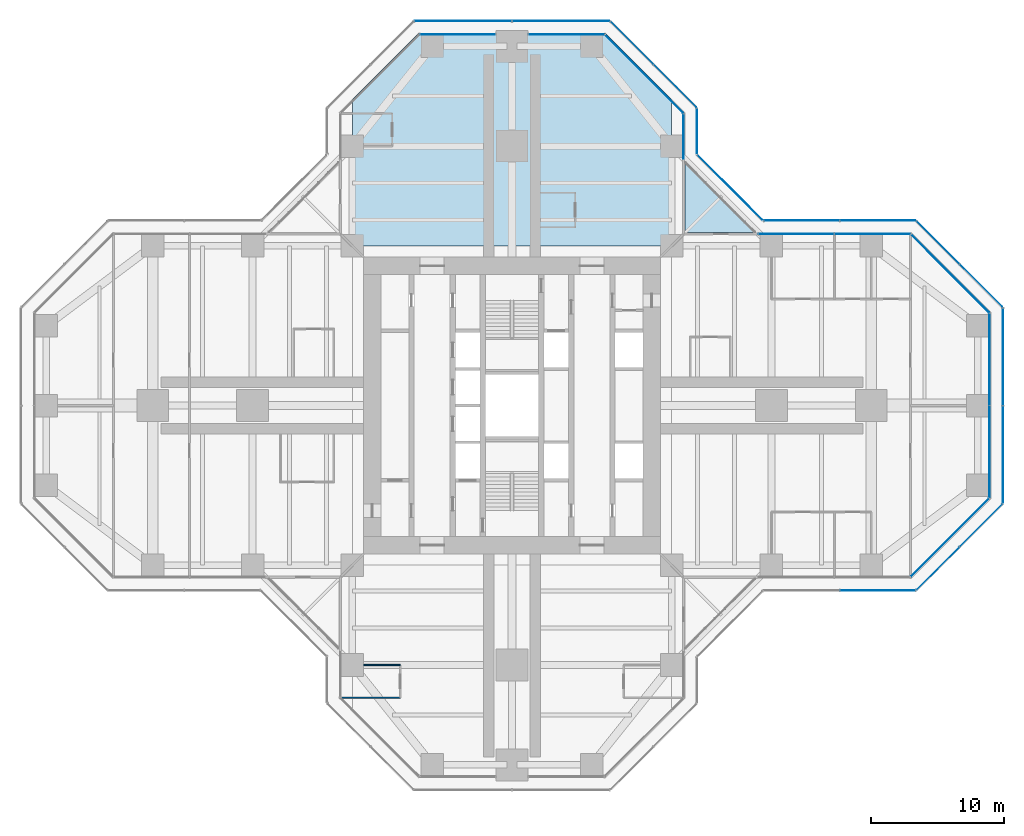
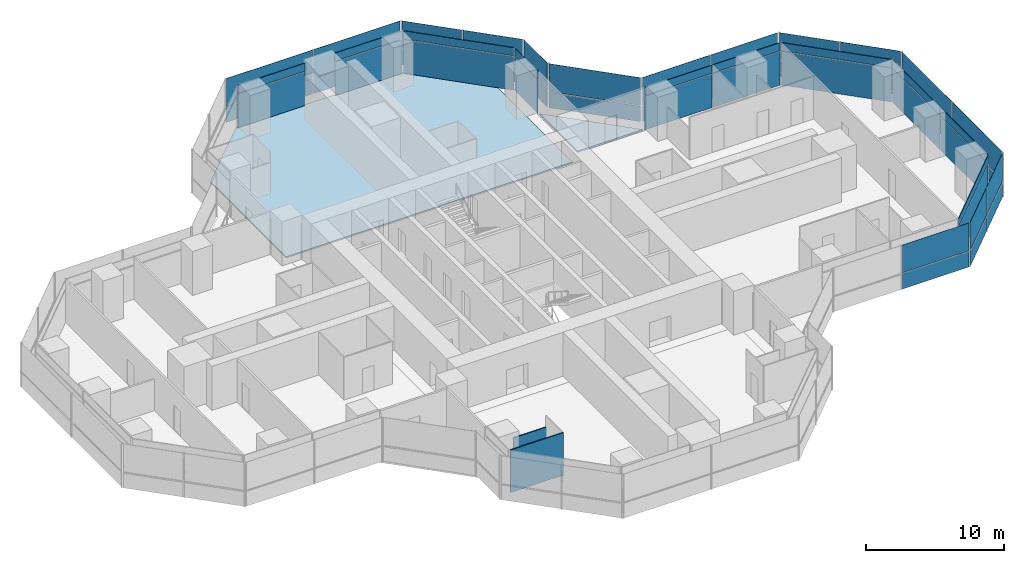
# One storey, part 14 of 20: 50 plates, 2 slabs, 2 walls, 17 elements without a shape of their own.
"""IFC4 building model written with IfcOpenShell, lengths in metres."""

import ifcopenshell
import ifcopenshell.guid

model = None  # the IFC model being written
_history = None  # IfcOwnerHistory: only IFC2X3 demands one
_inside = {}  # id of a spatial element -> (the spatial element, [elements in it])
_under = {}  # id of a project, library or spatial element -> (it, [spatial elements below it])
_declared = {}  # id of a project -> (the project, [libraries it declares])
_typed = {}  # id of a type object -> (the type object, [elements of that type])
_made_of = {}  # id of a material, layer set ... -> (it, [elements and type objects made of it])


def new_model(schema):
    """Start an empty IFC model of exactly this schema.

    Asked for "IFC4X3", IfcOpenShell would pick the latest addendum, in which some entities
    have other attributes; the version numbers below select the first issue.
    IFC2X3 requires an IfcOwnerHistory on every rooted entity: one is made here for all.
    """
    global model, _history
    if schema == "IFC4X3":
        model = ifcopenshell.file(schema_version=(4, 3, 0, 0))
    else:
        model = ifcopenshell.file(schema=schema)
    _inside.clear()
    _under.clear()
    _declared.clear()
    _typed.clear()
    _made_of.clear()
    _history = None
    if model.schema == "IFC2X3":
        org = make("IfcOrganization", Name="unknown")
        user = make(
            "IfcPersonAndOrganization",
            ThePerson=make("IfcPerson", FamilyName="unknown"),
            TheOrganization=org,
        )
        app = make(
            "IfcApplication",
            ApplicationDeveloper=org,
            Version="unknown",
            ApplicationFullName="unknown",
            ApplicationIdentifier="unknown",
        )
        _history = make(
            "IfcOwnerHistory",
            OwningUser=user,
            OwningApplication=app,
            ChangeAction="ADDED",
            CreationDate=0,
        )
    return model


def make(cls, **values):
    """One entity of the class cls with the attributes given. An attribute that is None is left unset."""
    return model.create_entity(
        cls, **{name: value for name, value in values.items() if value is not None}
    )


def rooted(cls, **values):
    """An entity with a GlobalId (a new one), such as an element, a storey or a relation."""
    return make(cls, GlobalId=ifcopenshell.guid.new(), OwnerHistory=_history, **values)


def si_unit(unit_type, name, prefix=None):
    """IfcSIUnit, for example si_unit("LENGTHUNIT", "METRE", prefix="MILLI")."""
    return make("IfcSIUnit", UnitType=unit_type, Prefix=prefix, Name=name)


def assignment(units):
    """IfcUnitAssignment: the units of a project."""
    return None if units is None else make("IfcUnitAssignment", Units=units)


def point(xyz):
    """IfcCartesianPoint."""
    return None if xyz is None else make("IfcCartesianPoint", Coordinates=xyz)


def direction(xyz):
    """IfcDirection."""
    return None if xyz is None else make("IfcDirection", DirectionRatios=xyz)


def frame(location, z_axis=None, x_axis=None):
    """IfcAxis2Placement3D, a coordinate frame: its origin and axes. An axis left out is left unset."""
    return make(
        "IfcAxis2Placement3D",
        Location=point(location),
        Axis=direction(z_axis),
        RefDirection=direction(x_axis),
    )


def frame_2d(location, x_axis=None):
    """IfcAxis2Placement2D, a coordinate frame in the plane: its origin and x axis."""
    return make(
        "IfcAxis2Placement2D", Location=point(location), RefDirection=direction(x_axis)
    )


def origin():
    """The frame at (0, 0, 0) with its axes left unset."""
    return frame((0.0, 0.0, 0.0))


def origin_2d():
    """The frame at (0, 0) in the plane with its x axis left unset."""
    return frame_2d((0.0, 0.0))


def place(relative_to, where):
    """IfcLocalPlacement: puts the frame where relative to a parent placement (None: the world)."""
    return make(
        "IfcLocalPlacement", PlacementRelTo=relative_to, RelativePlacement=where
    )


def context(
    kind, dimensions, precision=None, world=None, true_north=None, identifier=None
):
    """IfcGeometricRepresentationContext, for example the 3D "Model" context."""
    return make(
        "IfcGeometricRepresentationContext",
        ContextIdentifier=identifier,
        ContextType=kind,
        CoordinateSpaceDimension=dimensions,
        Precision=precision,
        WorldCoordinateSystem=world,
        TrueNorth=true_north,
    )


def subcontext(parent, identifier, kind, view, scale=None):
    """IfcGeometricRepresentationSubContext, for example "Body" below "Model"."""
    return make(
        "IfcGeometricRepresentationSubContext",
        ContextIdentifier=identifier,
        ContextType=kind,
        ParentContext=parent,
        TargetScale=scale,
        TargetView=view,
    )


def project(units=None, contexts=None):
    """IfcProject with its units and contexts."""
    return rooted(
        "IfcProject",
        Name="project",
        RepresentationContexts=contexts,
        UnitsInContext=assignment(units),
    )


def spatial(cls, under=None, at=None, **own):
    """A site, building, storey or space (cls), placed at a placement, below another one or the project."""
    s = rooted(cls, ObjectPlacement=at, **own)
    if under is not None:
        _under.setdefault(under.id(), (under, []))[1].append(s)
    return s


def polyline(points):
    """IfcPolyline through the points."""
    return make("IfcPolyline", Points=[point(p) for p in points])


def profile(cls, at=None, kind="AREA", **sizes):
    """A parametric profile (cls). Its sizes go by their IFC names, for example OverallWidth=200.0."""
    return make(cls, ProfileType=kind, Position=at, **sizes)


def rectangle(**sizes):
    """IfcRectangleProfileDef."""
    return profile("IfcRectangleProfileDef", **sizes)


def outline(outer, holes=None, kind="AREA"):
    """IfcArbitraryClosedProfileDef: a profile drawn as a closed curve; with holes, ...WithVoids."""
    if holes is None:
        return make("IfcArbitraryClosedProfileDef", ProfileType=kind, OuterCurve=outer)
    return make(
        "IfcArbitraryProfileDefWithVoids",
        ProfileType=kind,
        OuterCurve=outer,
        InnerCurves=holes,
    )


def extrude(swept, where, along, depth):
    """IfcExtrudedAreaSolid: the profile swept, set in the frame where, extruded along a direction by depth."""
    return make(
        "IfcExtrudedAreaSolid",
        SweptArea=swept,
        Position=where,
        ExtrudedDirection=direction(along),
        Depth=depth,
    )


def shape(context_of_items, identifier, shape_type, items):
    """IfcShapeRepresentation: the items that make up one representation, for example the "Body"."""
    return make(
        "IfcShapeRepresentation",
        ContextOfItems=context_of_items,
        RepresentationIdentifier=identifier,
        RepresentationType=shape_type,
        Items=items,
    )


def material(Name=None, Category=None):
    """IfcMaterial."""
    return make("IfcMaterial", Name=Name, Category=Category)


def layer(
    of_material, thickness, ventilated=None, Name=None, Category=None, Priority=None
):
    """IfcMaterialLayer: one layer of a wall or slab, of a material (None: an air gap)."""
    return make(
        "IfcMaterialLayer",
        Material=of_material,
        LayerThickness=thickness,
        IsVentilated=ventilated,
        Name=Name,
        Category=Category,
        Priority=Priority,
    )


def layer_set(layers, Name=None):
    """IfcMaterialLayerSet."""
    return make("IfcMaterialLayerSet", MaterialLayers=layers, LayerSetName=Name)


def made_of(thing, what):
    """Note that an element or type object is made of a material, layer set ...; save() writes the relation."""
    if what is not None:
        _made_of.setdefault(what.id(), (what, []))[1].append(thing)
    return thing


def type_object(cls, material=None, **own):
    """A type object (cls), such as IfcWallType, which elements share."""
    return made_of(rooted(cls, **own), material)


def element(
    cls,
    number,
    at=None,
    inside=None,
    cuts=None,
    type_object=None,
    material=None,
    context=None,
    identifier="Body",
    shape_type=None,
    held_by="IfcProductDefinitionShape",
    body=None,
    shapes=None,
    **own,
):
    """One element of the class cls, such as IfcWall. Its Tag is "e" and its number.

    at: its placement. inside: the storey or other place that contains it. cuts: it is an
    opening in that element (IfcRelVoidsElement). A single representation is given by context,
    identifier, shape_type and body (its items); several are given by shapes. held_by: the class
    of the entity that holds the representations. save() writes the other relations.
    """
    e = rooted(cls, Tag="e%d" % number, ObjectPlacement=at, **own)
    if body is not None:
        shapes = [shape(context, identifier, shape_type, body)]
    if shapes is not None:
        e.Representation = make(held_by, Representations=shapes)
    if inside is not None:
        _inside.setdefault(inside.id(), (inside, []))[1].append(e)
    if cuts is not None:
        rooted(
            "IfcRelVoidsElement", RelatingBuildingElement=cuts, RelatedOpeningElement=e
        )
    if type_object is not None:
        _typed.setdefault(type_object.id(), (type_object, []))[1].append(e)
    return made_of(e, material)


def aggregate(whole, parts):
    """IfcRelAggregates: a whole, such as a stair, and the parts it consists of."""
    return rooted("IfcRelAggregates", RelatingObject=whole, RelatedObjects=parts)


def save(model, path):
    """Write the relations noted so far, then the file.

    IfcRelAggregates (storeys below a building ...), IfcRelContainedInSpatialStructure (elements
    in a storey), IfcRelDefinesByType, IfcRelAssociatesMaterial and IfcRelDeclares: one each for
    every whole, place, type object, material and project.
    """
    for whole, parts in _under.values():
        aggregate(whole, parts)
    for where, things in _inside.values():
        rooted(
            "IfcRelContainedInSpatialStructure",
            RelatedElements=things,
            RelatingStructure=where,
        )
    for kind, things in _typed.values():
        rooted("IfcRelDefinesByType", RelatedObjects=things, RelatingType=kind)
    for what, things in _made_of.values():
        rooted("IfcRelAssociatesMaterial", RelatedObjects=things, RelatingMaterial=what)
    for by, libraries in _declared.values():
        rooted("IfcRelDeclares", RelatingContext=by, RelatedDefinitions=libraries)
    model.write(path)


model = new_model("IFC4")

# Units and contexts
model_context = context("Model", 3, precision=1e-05, world=origin(), true_north=direction((0.0, 1.0)))
body_context = subcontext(model_context, "Body", "Model", "MODEL_VIEW")
ifc_project = project(units=[si_unit("LENGTHUNIT", "METRE"), si_unit("AREAUNIT", "SQUARE_METRE"), si_unit("VOLUMEUNIT", "CUBIC_METRE"), si_unit("PLANEANGLEUNIT", "RADIAN"), si_unit("MASSUNIT", "GRAM", prefix="KILO")], contexts=[model_context])

# Site, building, storey
site_placement = place(None, origin())
site = spatial("IfcSite", under=ifc_project, at=site_placement, CompositionType="ELEMENT")
building_placement = place(site_placement, origin())
building = spatial("IfcBuilding", under=site, at=building_placement, Name="Mizan Broadcast Tower", CompositionType="ELEMENT")
storey_placement = place(building_placement, frame((0.0, 0.0, 147.60009765625)))
storey = spatial("IfcBuildingStorey", under=building, at=storey_placement, Name="L33", CompositionType="ELEMENT", Elevation=147.60009765625)

# Slab
ifc_material_1 = material(Name="Concrete C32/40", Category="concrete")
ifc_layer_1 = layer(ifc_material_1, 0.1298828125)
ifc_layer_set_1 = layer_set([ifc_layer_1], Name="Concrete C32/40")
slab_type_1 = type_object("IfcSlabType", Name="COMPOSITE DECK SLAB 130", PredefinedType="FLOOR", material=ifc_layer_set_1)
slab_1_placement = place(storey_placement, frame((0.0, 0.0, -0.130126953125)))
element("IfcSlab", 1, at=slab_1_placement, inside=storey, type_object=slab_type_1, Name="Floor slab L33 north arm", PredefinedType="FLOOR", context=body_context, shape_type="SweptSolid", body=[
    extrude(outline(polyline([(-7.0, 28.0), (-12.0, 23.0), (-12.0, 12.0), (12.0, 12.0), (12.0, 23.0), (7.0, 28.0), (-7.0, 28.0)])), origin(), (0.0, 0.0, 1.0), 0.130126953125),
])

# Curtain wall, plate
ifc_material_2 = material(Name="Aluminium framed glazing", Category="aluminium")
curtain_wall_type_1 = type_object("IfcCurtainWallType", Name="INNER SKIN MID ZONE", PredefinedType="USERDEFINED", material=ifc_material_2)
curtain_wall_1_placement = place(storey_placement, origin())
curtain_wall_1 = element("IfcCurtainWall", 2, at=curtain_wall_1_placement, inside=storey, type_object=curtain_wall_type_1, Name="Inner skin mid zone L33 E chamfer", ObjectType="INNER SKIN MID ZONE", PredefinedType="USERDEFINED")
ifc_material_3 = material(Name="Double glazing, clear low-e", Category="glass")
ifc_layer_2 = layer(ifc_material_3, 0.028076171875)
ifc_layer_set_2 = layer_set([ifc_layer_2], Name="Double glazing, clear low-e")
plate_type_1 = type_object("IfcPlateType", Name="INNER SKIN GLAZING UNIT", PredefinedType="CURTAIN_PANEL", material=ifc_layer_set_2)
plate_1_placement = place(storey_placement, frame((32.92919921875, -9.92919921875, 0.0), z_axis=(0.0, 0.0, 1.0), x_axis=(0.707106781187, 0.707106781187, 0.0)))
plate_1 = element("IfcPlate", 3, at=plate_1_placement, type_object=plate_type_1, Name="Inner skin mid zone L33 E chamfer panel 1.1", PredefinedType="CURTAIN_PANEL", context=body_context, shape_type="SweptSolid", body=[
    extrude(rectangle(XDim=8.282470703125, YDim=0.028076171875, at=origin_2d()), origin(), (0.0, 0.0, 1.0), 3.0),
])

# Curtain wall, plates
curtain_wall_2_placement = place(storey_placement, origin())
curtain_wall_2 = element("IfcCurtainWall", 4, at=curtain_wall_2_placement, inside=storey, type_object=curtain_wall_type_1, Name="Inner skin mid zone L33 E end", ObjectType="INNER SKIN MID ZONE", PredefinedType="USERDEFINED")
plate_2_placement = place(storey_placement, frame((35.89990234375, -3.46435546875, 0.0), z_axis=(0.0, 0.0, 1.0), x_axis=(0.0, 1.0, 0.0)))
plate_2 = element("IfcPlate", 5, at=plate_2_placement, type_object=plate_type_1, Name="Inner skin mid zone L33 E end panel 1.1", PredefinedType="CURTAIN_PANEL", context=body_context, shape_type="SweptSolid", body=[
    extrude(rectangle(XDim=6.86865234375, YDim=0.028076171875, at=origin_2d()), origin(), (0.0, 0.0, 1.0), 3.0),
])
plate_3_placement = place(storey_placement, frame((35.89990234375, 3.46435546875, 0.0), z_axis=(0.0, 0.0, 1.0), x_axis=(0.0, 1.0, 0.0)))
plate_3 = element("IfcPlate", 6, at=plate_3_placement, type_object=plate_type_1, Name="Inner skin mid zone L33 E end panel 2.1", PredefinedType="CURTAIN_PANEL", context=body_context, shape_type="SweptSolid", body=[
    extrude(rectangle(XDim=6.86865234375, YDim=0.028076171875, at=origin_2d()), origin(), (0.0, 0.0, 1.0), 3.0),
])

# Curtain wall, plate
curtain_wall_3_placement = place(storey_placement, origin())
curtain_wall_3 = element("IfcCurtainWall", 7, at=curtain_wall_3_placement, inside=storey, type_object=curtain_wall_type_1, Name="Inner skin mid zone L33 E chamfer", ObjectType="INNER SKIN MID ZONE", PredefinedType="USERDEFINED")
plate_4_placement = place(storey_placement, frame((32.92919921875, 9.92919921875, 0.0), z_axis=(0.0, 0.0, 1.0), x_axis=(-0.707106781187, 0.707106781187, 0.0)))
plate_4 = element("IfcPlate", 8, at=plate_4_placement, type_object=plate_type_1, Name="Inner skin mid zone L33 E chamfer panel 1.1", PredefinedType="CURTAIN_PANEL", context=body_context, shape_type="SweptSolid", body=[
    extrude(rectangle(XDim=8.282470703125, YDim=0.028076171875, at=origin_2d()), origin(), (0.0, 0.0, 1.0), 3.0),
])

# Curtain wall, plates
curtain_wall_4_placement = place(storey_placement, origin())
curtain_wall_4 = element("IfcCurtainWall", 9, at=curtain_wall_4_placement, inside=storey, type_object=curtain_wall_type_1, Name="Inner skin mid zone L33 E side", ObjectType="INNER SKIN MID ZONE", PredefinedType="USERDEFINED")
plate_5_placement = place(storey_placement, frame((27.078857421875, 12.89990234375, 0.0), z_axis=(0.0, 0.0, 1.0), x_axis=(-1.0, 0.0, 0.0)))
plate_5 = element("IfcPlate", 10, at=plate_5_placement, type_object=plate_type_1, Name="Inner skin mid zone L33 E side panel 1.1", PredefinedType="CURTAIN_PANEL", context=body_context, shape_type="SweptSolid", body=[
    extrude(rectangle(XDim=5.639404296875, YDim=0.028076171875, at=origin_2d()), origin(), (0.0, 0.0, 1.0), 3.0),
])
plate_6_placement = place(storey_placement, frame((21.379638671875, 12.89990234375, 0.0), z_axis=(0.0, 0.0, 1.0), x_axis=(-1.0, 0.0, 0.0)))
plate_6 = element("IfcPlate", 11, at=plate_6_placement, type_object=plate_type_1, Name="Inner skin mid zone L33 E side panel 2.1", PredefinedType="CURTAIN_PANEL", context=body_context, shape_type="SweptSolid", body=[
    extrude(rectangle(XDim=5.639404296875, YDim=0.028076171875, at=origin_2d()), origin(), (0.0, 0.0, 1.0), 3.0),
])

# Curtain wall, plate
curtain_wall_5_placement = place(storey_placement, origin())
curtain_wall_5 = element("IfcCurtainWall", 12, at=curtain_wall_5_placement, inside=storey, type_object=curtain_wall_type_1, Name="Inner skin mid zone L33 N side", ObjectType="INNER SKIN MID ZONE", PredefinedType="USERDEFINED")
plate_7_placement = place(storey_placement, frame((12.89990234375, 20.229248046875, 0.0), z_axis=(0.0, 0.0, 1.0), x_axis=(0.0, 1.0, 0.0)))
plate_7 = element("IfcPlate", 13, at=plate_7_placement, type_object=plate_type_1, Name="Inner skin mid zone L33 N side panel 1.1", PredefinedType="CURTAIN_PANEL", context=body_context, shape_type="SweptSolid", body=[
    extrude(rectangle(XDim=3.338623046875, YDim=0.028076171875, at=origin_2d()), origin(), (0.0, 0.0, 1.0), 3.0),
])

curtain_wall_6_placement = place(storey_placement, origin())
curtain_wall_6 = element("IfcCurtainWall", 14, at=curtain_wall_6_placement, inside=storey, type_object=curtain_wall_type_1, Name="Inner skin mid zone L33 N chamfer", ObjectType="INNER SKIN MID ZONE", PredefinedType="USERDEFINED")
plate_8_placement = place(storey_placement, frame((9.92919921875, 24.92919921875, 0.0), z_axis=(0.0, 0.0, 1.0), x_axis=(-0.707106781187, 0.707106781187, 0.0)))
plate_8 = element("IfcPlate", 15, at=plate_8_placement, type_object=plate_type_1, Name="Inner skin mid zone L33 N chamfer panel 1.1", PredefinedType="CURTAIN_PANEL", context=body_context, shape_type="SweptSolid", body=[
    extrude(rectangle(XDim=8.282470703125, YDim=0.028076171875, at=origin_2d()), origin(), (0.0, 0.0, 1.0), 3.0),
])

curtain_wall_7_placement = place(storey_placement, origin())
curtain_wall_7 = element("IfcCurtainWall", 16, at=curtain_wall_7_placement, inside=storey, type_object=curtain_wall_type_1, Name="Inner skin mid zone L33 N end", ObjectType="INNER SKIN MID ZONE", PredefinedType="USERDEFINED")
plate_9_placement = place(storey_placement, frame((4.079345703125, 27.89990234375, 0.0), z_axis=(0.0, 0.0, 1.0), x_axis=(-1.0, 0.0, 0.0)))
plate_9 = element("IfcPlate", 17, at=plate_9_placement, type_object=plate_type_1, Name="Inner skin mid zone L33 N end panel 1.1", PredefinedType="CURTAIN_PANEL", context=body_context, shape_type="SweptSolid", body=[
    extrude(rectangle(XDim=5.638671875, YDim=0.028076171875, at=origin_2d()), origin(), (0.0, 0.0, 1.0), 3.0),
])

curtain_wall_8_placement = place(storey_placement, origin())
curtain_wall_8 = element("IfcCurtainWall", 18, at=curtain_wall_8_placement, inside=storey, type_object=curtain_wall_type_1, Name="Inner skin mid zone L33 N end", ObjectType="INNER SKIN MID ZONE", PredefinedType="USERDEFINED")
plate_10_placement = place(storey_placement, frame((-4.079345703125, 27.89990234375, 0.0), z_axis=(0.0, 0.0, 1.0), x_axis=(-1.0, 0.0, 0.0)))
plate_10 = element("IfcPlate", 19, at=plate_10_placement, type_object=plate_type_1, Name="Inner skin mid zone L33 N end panel 1.1", PredefinedType="CURTAIN_PANEL", context=body_context, shape_type="SweptSolid", body=[
    extrude(rectangle(XDim=5.638671875, YDim=0.028076171875, at=origin_2d()), origin(), (0.0, 0.0, 1.0), 3.0),
])

# Plate
ifc_material_4 = material(Name="Insulated aluminium spandrel panel, pale anodised", Category="aluminium")
ifc_layer_3 = layer(ifc_material_4, 0.050048828125)
ifc_layer_set_3 = layer_set([ifc_layer_3], Name="Insulated aluminium spandrel panel, pale anodised")
plate_type_2 = type_object("IfcPlateType", Name="INNER SKIN SPANDREL PANEL", PredefinedType="CURTAIN_PANEL", material=ifc_layer_set_3)
plate_11_placement = place(storey_placement, frame((32.92919921875, -9.92919921875, 3.059814453125), z_axis=(0.0, 0.0, 1.0), x_axis=(0.707106781187, 0.707106781187, 0.0)))
plate_11 = element("IfcPlate", 20, at=plate_11_placement, type_object=plate_type_2, Name="Inner skin mid zone L33 E chamfer panel 1.2", PredefinedType="CURTAIN_PANEL", context=body_context, shape_type="SweptSolid", body=[
    extrude(rectangle(XDim=8.282470703125, YDim=0.050048828125, at=origin_2d()), origin(), (0.0, 0.0, 1.0), 0.7099609375),
])

aggregate(curtain_wall_1, [plate_1, plate_11])

plate_12_placement = place(storey_placement, frame((35.89990234375, -3.46435546875, 3.059814453125), z_axis=(0.0, 0.0, 1.0), x_axis=(0.0, 1.0, 0.0)))
plate_12 = element("IfcPlate", 21, at=plate_12_placement, type_object=plate_type_2, Name="Inner skin mid zone L33 E end panel 1.2", PredefinedType="CURTAIN_PANEL", context=body_context, shape_type="SweptSolid", body=[
    extrude(rectangle(XDim=6.86865234375, YDim=0.050048828125, at=origin_2d()), origin(), (0.0, 0.0, 1.0), 0.7099609375),
])

plate_13_placement = place(storey_placement, frame((35.89990234375, 3.46435546875, 3.059814453125), z_axis=(0.0, 0.0, 1.0), x_axis=(0.0, 1.0, 0.0)))
plate_13 = element("IfcPlate", 22, at=plate_13_placement, type_object=plate_type_2, Name="Inner skin mid zone L33 E end panel 2.2", PredefinedType="CURTAIN_PANEL", context=body_context, shape_type="SweptSolid", body=[
    extrude(rectangle(XDim=6.86865234375, YDim=0.050048828125, at=origin_2d()), origin(), (0.0, 0.0, 1.0), 0.7099609375),
])

aggregate(curtain_wall_2, [plate_2, plate_12, plate_3, plate_13])

plate_14_placement = place(storey_placement, frame((32.92919921875, 9.92919921875, 3.059814453125), z_axis=(0.0, 0.0, 1.0), x_axis=(-0.707106781187, 0.707106781187, 0.0)))
plate_14 = element("IfcPlate", 23, at=plate_14_placement, type_object=plate_type_2, Name="Inner skin mid zone L33 E chamfer panel 1.2", PredefinedType="CURTAIN_PANEL", context=body_context, shape_type="SweptSolid", body=[
    extrude(rectangle(XDim=8.282470703125, YDim=0.050048828125, at=origin_2d()), origin(), (0.0, 0.0, 1.0), 0.7099609375),
])

aggregate(curtain_wall_3, [plate_4, plate_14])

plate_15_placement = place(storey_placement, frame((27.078857421875, 12.89990234375, 3.059814453125), z_axis=(0.0, 0.0, 1.0), x_axis=(-1.0, 0.0, 0.0)))
plate_15 = element("IfcPlate", 24, at=plate_15_placement, type_object=plate_type_2, Name="Inner skin mid zone L33 E side panel 1.2", PredefinedType="CURTAIN_PANEL", context=body_context, shape_type="SweptSolid", body=[
    extrude(rectangle(XDim=5.639404296875, YDim=0.050048828125, at=origin_2d()), origin(), (0.0, 0.0, 1.0), 0.7099609375),
])

plate_16_placement = place(storey_placement, frame((21.379638671875, 12.89990234375, 3.059814453125), z_axis=(0.0, 0.0, 1.0), x_axis=(-1.0, 0.0, 0.0)))
plate_16 = element("IfcPlate", 25, at=plate_16_placement, type_object=plate_type_2, Name="Inner skin mid zone L33 E side panel 2.2", PredefinedType="CURTAIN_PANEL", context=body_context, shape_type="SweptSolid", body=[
    extrude(rectangle(XDim=5.639404296875, YDim=0.050048828125, at=origin_2d()), origin(), (0.0, 0.0, 1.0), 0.7099609375),
])

aggregate(curtain_wall_4, [plate_5, plate_15, plate_6, plate_16])

plate_17_placement = place(storey_placement, frame((12.89990234375, 20.229248046875, 3.059814453125), z_axis=(0.0, 0.0, 1.0), x_axis=(0.0, 1.0, 0.0)))
plate_17 = element("IfcPlate", 26, at=plate_17_placement, type_object=plate_type_2, Name="Inner skin mid zone L33 N side panel 1.2", PredefinedType="CURTAIN_PANEL", context=body_context, shape_type="SweptSolid", body=[
    extrude(rectangle(XDim=3.338623046875, YDim=0.050048828125, at=origin_2d()), origin(), (0.0, 0.0, 1.0), 0.7099609375),
])

aggregate(curtain_wall_5, [plate_7, plate_17])

plate_18_placement = place(storey_placement, frame((9.92919921875, 24.92919921875, 3.059814453125), z_axis=(0.0, 0.0, 1.0), x_axis=(-0.707106781187, 0.707106781187, 0.0)))
plate_18 = element("IfcPlate", 27, at=plate_18_placement, type_object=plate_type_2, Name="Inner skin mid zone L33 N chamfer panel 1.2", PredefinedType="CURTAIN_PANEL", context=body_context, shape_type="SweptSolid", body=[
    extrude(rectangle(XDim=8.282470703125, YDim=0.050048828125, at=origin_2d()), origin(), (0.0, 0.0, 1.0), 0.7099609375),
])

aggregate(curtain_wall_6, [plate_8, plate_18])

plate_19_placement = place(storey_placement, frame((4.079345703125, 27.89990234375, 3.059814453125), z_axis=(0.0, 0.0, 1.0), x_axis=(-1.0, 0.0, 0.0)))
plate_19 = element("IfcPlate", 28, at=plate_19_placement, type_object=plate_type_2, Name="Inner skin mid zone L33 N end panel 1.2", PredefinedType="CURTAIN_PANEL", context=body_context, shape_type="SweptSolid", body=[
    extrude(rectangle(XDim=5.638671875, YDim=0.050048828125, at=origin_2d()), origin(), (0.0, 0.0, 1.0), 0.7099609375),
])

aggregate(curtain_wall_7, [plate_9, plate_19])

plate_20_placement = place(storey_placement, frame((-4.079345703125, 27.89990234375, 3.059814453125), z_axis=(0.0, 0.0, 1.0), x_axis=(-1.0, 0.0, 0.0)))
plate_20 = element("IfcPlate", 29, at=plate_20_placement, type_object=plate_type_2, Name="Inner skin mid zone L33 N end panel 1.2", PredefinedType="CURTAIN_PANEL", context=body_context, shape_type="SweptSolid", body=[
    extrude(rectangle(XDim=5.638671875, YDim=0.050048828125, at=origin_2d()), origin(), (0.0, 0.0, 1.0), 0.7099609375),
])

aggregate(curtain_wall_8, [plate_10, plate_20])

# Curtain wall, plates
ifc_material_5 = material(Name="Aluminium framed glazing", Category="aluminium")
curtain_wall_type_2 = type_object("IfcCurtainWallType", Name="OUTER SKIN", PredefinedType="USERDEFINED", material=ifc_material_5)
curtain_wall_9_placement = place(storey_placement, origin())
curtain_wall_9 = element("IfcCurtainWall", 30, at=curtain_wall_9_placement, inside=storey, type_object=curtain_wall_type_2, Name="Outer skin L33 E chamfer", ObjectType="OUTER SKIN", PredefinedType="USERDEFINED")
ifc_material_6 = material(Name="Laminated clear glass", Category="glass")
ifc_layer_4 = layer(ifc_material_6, 0.02001953125)
ifc_layer_set_4 = layer_set([ifc_layer_4], Name="Laminated clear glass")
plate_type_3 = type_object("IfcPlateType", Name="OUTER SKIN CLEAR GLASS", PredefinedType="CURTAIN_PANEL", material=ifc_layer_set_4)
plate_21_placement = place(storey_placement, frame((32.018798828125, -12.254150390625, -0.000244140625), z_axis=(0.0, 0.0, 1.0), x_axis=(0.707106781187, 0.707106781187, 0.0)))
plate_21 = element("IfcPlate", 31, at=plate_21_placement, type_object=plate_type_3, Name="Outer skin L33 E chamfer panel 1.1", PredefinedType="CURTAIN_PANEL", context=body_context, shape_type="SweptSolid", body=[
    extrude(rectangle(XDim=4.495361328125, YDim=0.02001953125, at=origin_2d()), origin(), (0.0, 0.0, 1.0), 1.3701171875),
])
plate_22_placement = place(storey_placement, frame((32.018798828125, -12.254150390625, 1.4296875), z_axis=(0.0, 0.0, 1.0), x_axis=(0.707106781187, 0.707106781187, 0.0)))
plate_22 = element("IfcPlate", 32, at=plate_22_placement, type_object=plate_type_3, Name="Outer skin L33 E chamfer panel 1.2", PredefinedType="CURTAIN_PANEL", context=body_context, shape_type="SweptSolid", body=[
    extrude(rectangle(XDim=4.495361328125, YDim=0.02001953125, at=origin_2d()), origin(), (0.0, 0.0, 1.0), 2.469970703125),
])

curtain_wall_10_placement = place(storey_placement, origin())
curtain_wall_10 = element("IfcCurtainWall", 33, at=curtain_wall_10_placement, inside=storey, type_object=curtain_wall_type_2, Name="Outer skin L33 E end", ObjectType="OUTER SKIN", PredefinedType="USERDEFINED")
plate_23_placement = place(storey_placement, frame((36.89990234375, -3.66650390625, -0.000244140625), z_axis=(0.0, 0.0, 1.0), x_axis=(0.0, 1.0, 0.0)))
plate_23 = element("IfcPlate", 34, at=plate_23_placement, type_object=plate_type_3, Name="Outer skin L33 E end panel 1.1", PredefinedType="CURTAIN_PANEL", context=body_context, shape_type="SweptSolid", body=[
    extrude(rectangle(XDim=7.252685546875, YDim=0.02001953125, at=origin_2d()), origin(), (0.0, 0.0, 1.0), 1.3701171875),
])
plate_24_placement = place(storey_placement, frame((36.89990234375, -3.66650390625, 1.4296875), z_axis=(0.0, 0.0, 1.0), x_axis=(0.0, 1.0, 0.0)))
plate_24 = element("IfcPlate", 35, at=plate_24_placement, type_object=plate_type_3, Name="Outer skin L33 E end panel 1.2", PredefinedType="CURTAIN_PANEL", context=body_context, shape_type="SweptSolid", body=[
    extrude(rectangle(XDim=7.252685546875, YDim=0.02001953125, at=origin_2d()), origin(), (0.0, 0.0, 1.0), 2.469970703125),
])

curtain_wall_11_placement = place(storey_placement, origin())
curtain_wall_11 = element("IfcCurtainWall", 36, at=curtain_wall_11_placement, inside=storey, type_object=curtain_wall_type_2, Name="Outer skin L33 E chamfer", ObjectType="OUTER SKIN", PredefinedType="USERDEFINED")
plate_25_placement = place(storey_placement, frame((35.254150390625, 9.018798828125, -0.000244140625), z_axis=(0.0, 0.0, 1.0), x_axis=(-0.707106781187, 0.707106781187, 0.0)))
plate_25 = element("IfcPlate", 37, at=plate_25_placement, type_object=plate_type_3, Name="Outer skin L33 E chamfer panel 1.1", PredefinedType="CURTAIN_PANEL", context=body_context, shape_type="SweptSolid", body=[
    extrude(rectangle(XDim=4.495361328125, YDim=0.02001953125, at=origin_2d()), origin(), (0.0, 0.0, 1.0), 1.3701171875),
])
plate_26_placement = place(storey_placement, frame((35.254150390625, 9.018798828125, 1.4296875), z_axis=(0.0, 0.0, 1.0), x_axis=(-0.707106781187, 0.707106781187, 0.0)))
plate_26 = element("IfcPlate", 38, at=plate_26_placement, type_object=plate_type_3, Name="Outer skin L33 E chamfer panel 1.2", PredefinedType="CURTAIN_PANEL", context=body_context, shape_type="SweptSolid", body=[
    extrude(rectangle(XDim=4.495361328125, YDim=0.02001953125, at=origin_2d()), origin(), (0.0, 0.0, 1.0), 2.469970703125),
])

curtain_wall_12_placement = place(storey_placement, origin())
curtain_wall_12 = element("IfcCurtainWall", 39, at=curtain_wall_12_placement, inside=storey, type_object=curtain_wall_type_2, Name="Outer skin L33 E side", ObjectType="OUTER SKIN", PredefinedType="USERDEFINED")
plate_27_placement = place(storey_placement, frame((27.477783203125, 13.89990234375, -0.000244140625), z_axis=(0.0, 0.0, 1.0), x_axis=(-1.0, 0.0, 0.0)))
plate_27 = element("IfcPlate", 40, at=plate_27_placement, type_object=plate_type_3, Name="Outer skin L33 E side panel 1.1", PredefinedType="CURTAIN_PANEL", context=body_context, shape_type="SweptSolid", body=[
    extrude(rectangle(XDim=5.6298828125, YDim=0.02001953125, at=origin_2d()), origin(), (0.0, 0.0, 1.0), 1.3701171875),
])
plate_28_placement = place(storey_placement, frame((27.477783203125, 13.89990234375, 1.4296875), z_axis=(0.0, 0.0, 1.0), x_axis=(-1.0, 0.0, 0.0)))
plate_28 = element("IfcPlate", 41, at=plate_28_placement, type_object=plate_type_3, Name="Outer skin L33 E side panel 1.2", PredefinedType="CURTAIN_PANEL", context=body_context, shape_type="SweptSolid", body=[
    extrude(rectangle(XDim=5.6298828125, YDim=0.02001953125, at=origin_2d()), origin(), (0.0, 0.0, 1.0), 2.469970703125),
])
plate_29_placement = place(storey_placement, frame((21.767822265625, 13.89990234375, -0.000244140625), z_axis=(0.0, 0.0, 1.0), x_axis=(-1.0, 0.0, 0.0)))
plate_29 = element("IfcPlate", 42, at=plate_29_placement, type_object=plate_type_3, Name="Outer skin L33 E side panel 2.1", PredefinedType="CURTAIN_PANEL", context=body_context, shape_type="SweptSolid", body=[
    extrude(rectangle(XDim=5.6298828125, YDim=0.02001953125, at=origin_2d()), origin(), (0.0, 0.0, 1.0), 1.3701171875),
])
plate_30_placement = place(storey_placement, frame((21.767822265625, 13.89990234375, 1.4296875), z_axis=(0.0, 0.0, 1.0), x_axis=(-1.0, 0.0, 0.0)))
plate_30 = element("IfcPlate", 43, at=plate_30_placement, type_object=plate_type_3, Name="Outer skin L33 E side panel 2.2", PredefinedType="CURTAIN_PANEL", context=body_context, shape_type="SweptSolid", body=[
    extrude(rectangle(XDim=5.6298828125, YDim=0.02001953125, at=origin_2d()), origin(), (0.0, 0.0, 1.0), 2.469970703125),
])
aggregate(curtain_wall_12, [plate_27, plate_28, plate_29, plate_30])

curtain_wall_13_placement = place(storey_placement, origin())
curtain_wall_13 = element("IfcCurtainWall", 44, at=curtain_wall_13_placement, inside=storey, type_object=curtain_wall_type_2, Name="Outer skin L33 E chamfer", ObjectType="OUTER SKIN", PredefinedType="USERDEFINED")
plate_31_placement = place(storey_placement, frame((16.386474609375, 16.386474609375, -0.000244140625), z_axis=(0.0, 0.0, 1.0), x_axis=(-0.707106781187, 0.707106781187, 0.0)))
plate_31 = element("IfcPlate", 45, at=plate_31_placement, type_object=plate_type_3, Name="Outer skin L33 E chamfer panel 1.1", PredefinedType="CURTAIN_PANEL", context=body_context, shape_type="SweptSolid", body=[
    extrude(rectangle(XDim=6.87255859375, YDim=0.02001953125, at=origin_2d()), origin(), (0.0, 0.0, 1.0), 1.3701171875),
])
plate_32_placement = place(storey_placement, frame((16.386474609375, 16.386474609375, 1.4296875), z_axis=(0.0, 0.0, 1.0), x_axis=(-0.707106781187, 0.707106781187, 0.0)))
plate_32 = element("IfcPlate", 46, at=plate_32_placement, type_object=plate_type_3, Name="Outer skin L33 E chamfer panel 1.2", PredefinedType="CURTAIN_PANEL", context=body_context, shape_type="SweptSolid", body=[
    extrude(rectangle(XDim=6.87255859375, YDim=0.02001953125, at=origin_2d()), origin(), (0.0, 0.0, 1.0), 2.469970703125),
])
aggregate(curtain_wall_13, [plate_31, plate_32])

curtain_wall_14_placement = place(storey_placement, origin())
curtain_wall_14 = element("IfcCurtainWall", 47, at=curtain_wall_14_placement, inside=storey, type_object=curtain_wall_type_2, Name="Outer skin L33 N side", ObjectType="OUTER SKIN", PredefinedType="USERDEFINED")
plate_33_placement = place(storey_placement, frame((13.89990234375, 20.622802734375, -0.000244140625), z_axis=(0.0, 0.0, 1.0), x_axis=(0.0, 1.0, 0.0)))
plate_33 = element("IfcPlate", 48, at=plate_33_placement, type_object=plate_type_3, Name="Outer skin L33 N side panel 1.1", PredefinedType="CURTAIN_PANEL", context=body_context, shape_type="SweptSolid", body=[
    extrude(rectangle(XDim=3.340087890625, YDim=0.02001953125, at=origin_2d()), origin(), (0.0, 0.0, 1.0), 1.3701171875),
])
plate_34_placement = place(storey_placement, frame((13.89990234375, 20.622802734375, 1.4296875), z_axis=(0.0, 0.0, 1.0), x_axis=(0.0, 1.0, 0.0)))
plate_34 = element("IfcPlate", 49, at=plate_34_placement, type_object=plate_type_3, Name="Outer skin L33 N side panel 1.2", PredefinedType="CURTAIN_PANEL", context=body_context, shape_type="SweptSolid", body=[
    extrude(rectangle(XDim=3.340087890625, YDim=0.02001953125, at=origin_2d()), origin(), (0.0, 0.0, 1.0), 2.469970703125),
])
aggregate(curtain_wall_14, [plate_33, plate_34])

curtain_wall_15_placement = place(storey_placement, origin())
curtain_wall_15 = element("IfcCurtainWall", 50, at=curtain_wall_15_placement, inside=storey, type_object=curtain_wall_type_2, Name="Outer skin L33 N chamfer", ObjectType="OUTER SKIN", PredefinedType="USERDEFINED")
plate_35_placement = place(storey_placement, frame((12.254150390625, 24.018798828125, -0.000244140625), z_axis=(0.0, 0.0, 1.0), x_axis=(-0.707106781187, 0.707106781187, 0.0)))
plate_35 = element("IfcPlate", 51, at=plate_35_placement, type_object=plate_type_3, Name="Outer skin L33 N chamfer panel 1.1", PredefinedType="CURTAIN_PANEL", context=body_context, shape_type="SweptSolid", body=[
    extrude(rectangle(XDim=4.495361328125, YDim=0.02001953125, at=origin_2d()), origin(), (0.0, 0.0, 1.0), 1.3701171875),
])
plate_36_placement = place(storey_placement, frame((12.254150390625, 24.018798828125, 1.4296875), z_axis=(0.0, 0.0, 1.0), x_axis=(-0.707106781187, 0.707106781187, 0.0)))
plate_36 = element("IfcPlate", 52, at=plate_36_placement, type_object=plate_type_3, Name="Outer skin L33 N chamfer panel 1.2", PredefinedType="CURTAIN_PANEL", context=body_context, shape_type="SweptSolid", body=[
    extrude(rectangle(XDim=4.495361328125, YDim=0.02001953125, at=origin_2d()), origin(), (0.0, 0.0, 1.0), 2.469970703125),
])

curtain_wall_16_placement = place(storey_placement, origin())
curtain_wall_16 = element("IfcCurtainWall", 53, at=curtain_wall_16_placement, inside=storey, type_object=curtain_wall_type_2, Name="Outer skin L33 N end", ObjectType="OUTER SKIN", PredefinedType="USERDEFINED")
plate_37_placement = place(storey_placement, frame((3.66650390625, 28.89990234375, -0.000244140625), z_axis=(0.0, 0.0, 1.0), x_axis=(-1.0, 0.0, 0.0)))
plate_37 = element("IfcPlate", 54, at=plate_37_placement, type_object=plate_type_3, Name="Outer skin L33 N end panel 1.1", PredefinedType="CURTAIN_PANEL", context=body_context, shape_type="SweptSolid", body=[
    extrude(rectangle(XDim=7.252685546875, YDim=0.02001953125, at=origin_2d()), origin(), (0.0, 0.0, 1.0), 1.3701171875),
])
plate_38_placement = place(storey_placement, frame((3.66650390625, 28.89990234375, 1.4296875), z_axis=(0.0, 0.0, 1.0), x_axis=(-1.0, 0.0, 0.0)))
plate_38 = element("IfcPlate", 55, at=plate_38_placement, type_object=plate_type_3, Name="Outer skin L33 N end panel 1.2", PredefinedType="CURTAIN_PANEL", context=body_context, shape_type="SweptSolid", body=[
    extrude(rectangle(XDim=7.252685546875, YDim=0.02001953125, at=origin_2d()), origin(), (0.0, 0.0, 1.0), 2.469970703125),
])
plate_39_placement = place(storey_placement, frame((-3.66650390625, 28.89990234375, -0.000244140625), z_axis=(0.0, 0.0, 1.0), x_axis=(-1.0, 0.0, 0.0)))
plate_39 = element("IfcPlate", 56, at=plate_39_placement, type_object=plate_type_3, Name="Outer skin L33 N end panel 2.1", PredefinedType="CURTAIN_PANEL", context=body_context, shape_type="SweptSolid", body=[
    extrude(rectangle(XDim=7.252685546875, YDim=0.02001953125, at=origin_2d()), origin(), (0.0, 0.0, 1.0), 1.3701171875),
])
plate_40_placement = place(storey_placement, frame((-3.66650390625, 28.89990234375, 1.4296875), z_axis=(0.0, 0.0, 1.0), x_axis=(-1.0, 0.0, 0.0)))
plate_40 = element("IfcPlate", 57, at=plate_40_placement, type_object=plate_type_3, Name="Outer skin L33 N end panel 2.2", PredefinedType="CURTAIN_PANEL", context=body_context, shape_type="SweptSolid", body=[
    extrude(rectangle(XDim=7.252685546875, YDim=0.02001953125, at=origin_2d()), origin(), (0.0, 0.0, 1.0), 2.469970703125),
])
aggregate(curtain_wall_16, [plate_37, plate_38, plate_39, plate_40])

# Plate
ifc_material_7 = material(Name="Perforated aluminium, pale anodised", Category="aluminium")
ifc_layer_5 = layer(ifc_material_7, 0.011962890625)
ifc_layer_set_5 = layer_set([ifc_layer_5], Name="Perforated aluminium, pale anodised")
plate_type_4 = type_object("IfcPlateType", Name="OUTER SKIN PERFORATED SCREEN", PredefinedType="USERDEFINED", material=ifc_layer_set_5)
plate_41_placement = place(storey_placement, frame((35.254150390625, -9.018798828125, -0.000244140625), z_axis=(0.0, 0.0, 1.0), x_axis=(0.707106781187, 0.707106781187, 0.0)))
plate_41 = element("IfcPlate", 58, at=plate_41_placement, type_object=plate_type_4, Name="Outer skin L33 E chamfer panel 2.1", ObjectType="SCREEN", PredefinedType="USERDEFINED", context=body_context, shape_type="SweptSolid", body=[
    extrude(rectangle(XDim=4.495361328125, YDim=0.011962890625, at=origin_2d()), origin(), (0.0, 0.0, 1.0), 1.3701171875),
])

plate_42_placement = place(storey_placement, frame((35.254150390625, -9.018798828125, 1.4296875), z_axis=(0.0, 0.0, 1.0), x_axis=(0.707106781187, 0.707106781187, 0.0)))
plate_42 = element("IfcPlate", 59, at=plate_42_placement, type_object=plate_type_4, Name="Outer skin L33 E chamfer panel 2.2", ObjectType="SCREEN", PredefinedType="USERDEFINED", context=body_context, shape_type="SweptSolid", body=[
    extrude(rectangle(XDim=4.495361328125, YDim=0.011962890625, at=origin_2d()), origin(), (0.0, 0.0, 1.0), 2.469970703125),
])

aggregate(curtain_wall_9, [plate_21, plate_22, plate_41, plate_42])

plate_43_placement = place(storey_placement, frame((36.89990234375, 3.66650390625, -0.000244140625), z_axis=(0.0, 0.0, 1.0), x_axis=(0.0, 1.0, 0.0)))
plate_43 = element("IfcPlate", 60, at=plate_43_placement, type_object=plate_type_4, Name="Outer skin L33 E end panel 2.1", ObjectType="SCREEN", PredefinedType="USERDEFINED", context=body_context, shape_type="SweptSolid", body=[
    extrude(rectangle(XDim=7.252685546875, YDim=0.011962890625, at=origin_2d()), origin(), (0.0, 0.0, 1.0), 1.3701171875),
])

plate_44_placement = place(storey_placement, frame((36.89990234375, 3.66650390625, 1.4296875), z_axis=(0.0, 0.0, 1.0), x_axis=(0.0, 1.0, 0.0)))
plate_44 = element("IfcPlate", 61, at=plate_44_placement, type_object=plate_type_4, Name="Outer skin L33 E end panel 2.2", ObjectType="SCREEN", PredefinedType="USERDEFINED", context=body_context, shape_type="SweptSolid", body=[
    extrude(rectangle(XDim=7.252685546875, YDim=0.011962890625, at=origin_2d()), origin(), (0.0, 0.0, 1.0), 2.469970703125),
])

aggregate(curtain_wall_10, [plate_23, plate_24, plate_43, plate_44])

plate_45_placement = place(storey_placement, frame((32.018798828125, 12.254150390625, -0.000244140625), z_axis=(0.0, 0.0, 1.0), x_axis=(-0.707106781187, 0.707106781187, 0.0)))
plate_45 = element("IfcPlate", 62, at=plate_45_placement, type_object=plate_type_4, Name="Outer skin L33 E chamfer panel 2.1", ObjectType="SCREEN", PredefinedType="USERDEFINED", context=body_context, shape_type="SweptSolid", body=[
    extrude(rectangle(XDim=4.495361328125, YDim=0.011962890625, at=origin_2d()), origin(), (0.0, 0.0, 1.0), 1.3701171875),
])

plate_46_placement = place(storey_placement, frame((32.018798828125, 12.254150390625, 1.4296875), z_axis=(0.0, 0.0, 1.0), x_axis=(-0.707106781187, 0.707106781187, 0.0)))
plate_46 = element("IfcPlate", 63, at=plate_46_placement, type_object=plate_type_4, Name="Outer skin L33 E chamfer panel 2.2", ObjectType="SCREEN", PredefinedType="USERDEFINED", context=body_context, shape_type="SweptSolid", body=[
    extrude(rectangle(XDim=4.495361328125, YDim=0.011962890625, at=origin_2d()), origin(), (0.0, 0.0, 1.0), 2.469970703125),
])

aggregate(curtain_wall_11, [plate_25, plate_26, plate_45, plate_46])

plate_47_placement = place(storey_placement, frame((9.018798828125, 27.254150390625, -0.000244140625), z_axis=(0.0, 0.0, 1.0), x_axis=(-0.707106781187, 0.707106781187, 0.0)))
plate_47 = element("IfcPlate", 64, at=plate_47_placement, type_object=plate_type_4, Name="Outer skin L33 N chamfer panel 2.1", ObjectType="SCREEN", PredefinedType="USERDEFINED", context=body_context, shape_type="SweptSolid", body=[
    extrude(rectangle(XDim=4.495361328125, YDim=0.011962890625, at=origin_2d()), origin(), (0.0, 0.0, 1.0), 1.3701171875),
])

plate_48_placement = place(storey_placement, frame((9.018798828125, 27.254150390625, 1.4296875), z_axis=(0.0, 0.0, 1.0), x_axis=(-0.707106781187, 0.707106781187, 0.0)))
plate_48 = element("IfcPlate", 65, at=plate_48_placement, type_object=plate_type_4, Name="Outer skin L33 N chamfer panel 2.2", ObjectType="SCREEN", PredefinedType="USERDEFINED", context=body_context, shape_type="SweptSolid", body=[
    extrude(rectangle(XDim=4.495361328125, YDim=0.011962890625, at=origin_2d()), origin(), (0.0, 0.0, 1.0), 2.469970703125),
])

aggregate(curtain_wall_15, [plate_35, plate_36, plate_47, plate_48])

# Curtain wall, plates
curtain_wall_17_placement = place(storey_placement, origin())
curtain_wall_17 = element("IfcCurtainWall", 66, at=curtain_wall_17_placement, inside=storey, type_object=curtain_wall_type_2, Name="Outer skin L33 E side", ObjectType="OUTER SKIN", PredefinedType="USERDEFINED")
plate_49_placement = place(storey_placement, frame((27.477783203125, -13.89990234375, -0.000244140625), z_axis=(0.0, 0.0, 1.0), x_axis=(1.0, 0.0, 0.0)))
plate_49 = element("IfcPlate", 67, at=plate_49_placement, type_object=plate_type_4, Name="Outer skin L33 E side panel 2.1", ObjectType="SCREEN", PredefinedType="USERDEFINED", context=body_context, shape_type="SweptSolid", body=[
    extrude(rectangle(XDim=5.6298828125, YDim=0.011962890625, at=origin_2d()), origin(), (0.0, 0.0, 1.0), 1.3701171875),
])
plate_50_placement = place(storey_placement, frame((27.477783203125, -13.89990234375, 1.4296875), z_axis=(0.0, 0.0, 1.0), x_axis=(1.0, 0.0, 0.0)))
plate_50 = element("IfcPlate", 68, at=plate_50_placement, type_object=plate_type_4, Name="Outer skin L33 E side panel 2.2", ObjectType="SCREEN", PredefinedType="USERDEFINED", context=body_context, shape_type="SweptSolid", body=[
    extrude(rectangle(XDim=5.6298828125, YDim=0.011962890625, at=origin_2d()), origin(), (0.0, 0.0, 1.0), 2.469970703125),
])
aggregate(curtain_wall_17, [plate_49, plate_50])

# Slab
ifc_material_8 = material(Name="Concrete C32/40", Category="concrete")
ifc_layer_6 = layer(ifc_material_8, 0.1298828125)
ifc_layer_set_6 = layer_set([ifc_layer_6], Name="Concrete C32/40")
slab_type_2 = type_object("IfcSlabType", Name="WINTER GARDEN SLAB 130", PredefinedType="FLOOR", material=ifc_layer_set_6)
slab_2_placement = place(storey_placement, frame((0.0, 0.0, -0.130126953125)))
element("IfcSlab", 69, at=slab_2_placement, inside=storey, type_object=slab_type_2, Name="Winter garden slab L33 E", PredefinedType="FLOOR", context=body_context, shape_type="SweptSolid", body=[
    extrude(outline(polyline([(13.0, 13.0), (18.5, 13.0), (13.0, 18.5), (13.0, 13.0)])), origin(), (0.0, 0.0, 1.0), 0.130126953125),
])

# Walls
ifc_material_9 = material(Name="Glazed aluminium partition on aluminium track", Category="aluminium")
ifc_layer_7 = layer(ifc_material_9, 0.10009765625)
ifc_layer_set_7 = layer_set([ifc_layer_7], Name="Glazed aluminium partition on aluminium track")
wall_type = type_object("IfcWallType", Name="PARTITION GLAZED OFFICE FRONT 100", PredefinedType="PARTITIONING", material=ifc_layer_set_7)
wall_1_placement = place(storey_placement, frame((-8.39990234375, -19.5, 0.0), z_axis=(0.0, 0.0, 1.0), x_axis=(-1.0, 0.0, 0.0)))
element("IfcWall", 70, at=wall_1_placement, inside=storey, type_object=wall_type, Name="Glazed office front PT/SQN1950", PredefinedType="PARTITIONING", context=body_context, shape_type="SweptSolid", body=[
    extrude(rectangle(XDim=2.75, YDim=0.10009765625, at=frame_2d((1.375, 0.0))), origin(), (0.0, 0.0, 1.0), 2.77001953125),
])
wall_2_placement = place(storey_placement, frame((-8.39990234375, -21.958984375, 0.0), z_axis=(0.0, 0.0, 1.0), x_axis=(-1.0, 0.0, 0.0)))
element("IfcWall", 71, at=wall_2_placement, inside=storey, type_object=wall_type, Name="Glazed office front PT/SQN2196", PredefinedType="PARTITIONING", context=body_context, shape_type="SweptSolid", body=[
    extrude(rectangle(XDim=4.420166015625, YDim=0.10009765625, at=frame_2d((2.2099609375, 0.0))), origin(), (0.0, 0.0, 1.0), 3.77001953125),
])

save(model, "model.ifc")
